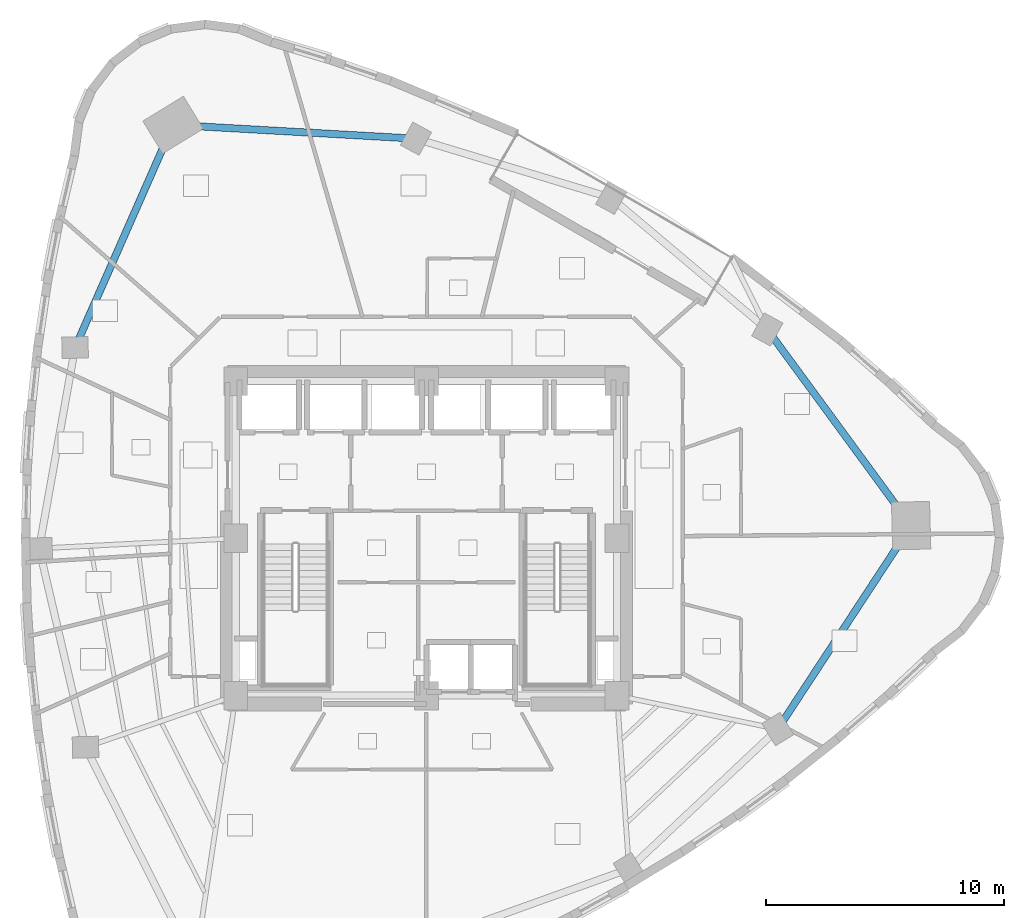
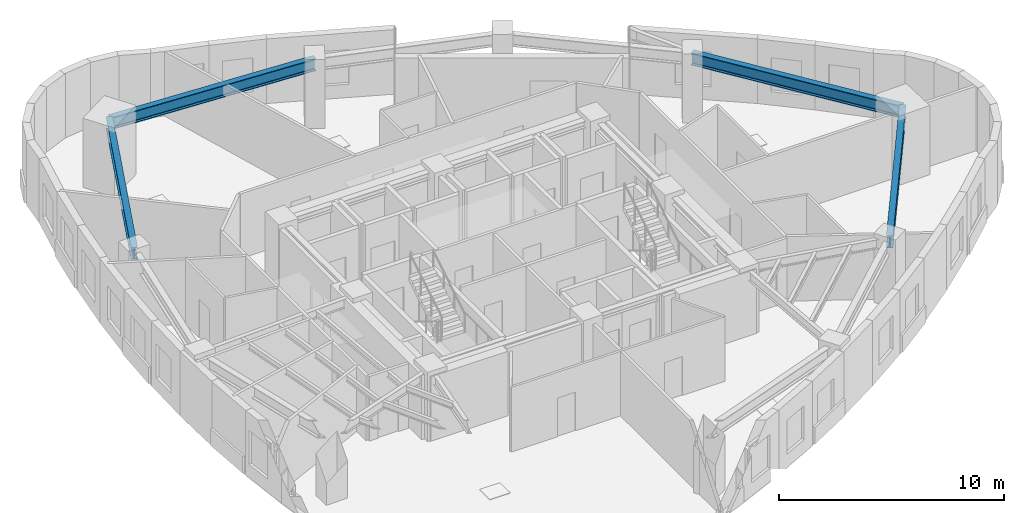
# One storey, part 3 of 13: 4 beams.
"""IFC4 building model written with IfcOpenShell, lengths in metres."""

from ifc_helpers import new_model, si_unit, direction, frame, origin, origin_2d, place, context, subcontext, project, spatial, i_section, extrude, material, material_profile, profile_set, type_object, element, save


model = new_model("IFC4")

# Units and contexts
model_context = context("Model", 3, precision=1e-05, world=origin(), true_north=direction((0.0, 1.0)))
body_context = subcontext(model_context, "Body", "Model", "MODEL_VIEW")
ifc_project = project(units=[si_unit("LENGTHUNIT", "METRE"), si_unit("AREAUNIT", "SQUARE_METRE"), si_unit("VOLUMEUNIT", "CUBIC_METRE"), si_unit("PLANEANGLEUNIT", "RADIAN"), si_unit("MASSUNIT", "GRAM", prefix="KILO")], contexts=[model_context])

# Site, building, storey
site_placement = place(None, origin())
site = spatial("IfcSite", under=ifc_project, at=site_placement, CompositionType="ELEMENT")
building_placement = place(site_placement, origin())
building = spatial("IfcBuilding", under=site, at=building_placement, Name="Ndelora Gate Hotel", CompositionType="ELEMENT")
storey_placement = place(building_placement, frame((0.0, 0.0, 123.5)))
storey = spatial("IfcBuildingStorey", under=building, at=storey_placement, Name="L30", CompositionType="ELEMENT", Elevation=123.5)

# Beams
ifc_material = material(Name="Steel S355", Category="steel")
ifc_material_profile = material_profile(ifc_material, i_section(OverallWidth=0.300048828125, OverallDepth=0.64990234375, WebThickness=0.01611328125, FlangeThickness=0.031005859375, FilletRadius=0.027099609375, at=origin_2d()), Name="HEB 650")
ifc_profile_set = profile_set([ifc_material_profile], Name="Steel S355")
beam_type = type_object("IfcBeamType", Name="BM-RING-650", PredefinedType="SPANDREL", material=ifc_profile_set)
beam_1_placement = place(storey_placement, frame((-10.63330078125, 17.351806640625, 3.175048828125), z_axis=(-0.402852396707, -0.915264959707, 0.0), x_axis=(0.915264959707, -0.402852396707, 0.0)))
element("IfcBeam", 1, at=beam_1_placement, inside=storey, type_object=beam_type, Name="L30 Perimeter Spandrel Girder 1", PredefinedType="SPANDREL", context=body_context, shape_type="SweptSolid", body=[
    extrude(i_section(OverallWidth=0.300048828125, OverallDepth=0.64990234375, WebThickness=0.01611328125, FlangeThickness=0.031005859375, FilletRadius=0.027099609375, at=origin_2d()), origin(), (0.0, 0.0, 1.0), 10.21044921875),
])
for number, where, z_axis, x_axis, name in (
    (2, (14.74658203125, -8.006591796875, 3.175048828125), (0.548194123818, 0.836351123998, 0.0), (-0.836351123998, 0.548194123818, 0.0), "L30 Perimeter Spandrel Girder 8"),
    (3, (20.34375, 0.53271484375, 3.175048828125), (-0.591229932094, 0.806503048597, 0.0), (-0.806503048597, -0.591229932094, 0.0), "L30 Perimeter Spandrel Girder 9"),
):
    element("IfcBeam", number, at=place(storey_placement, frame(where, z_axis=z_axis, x_axis=x_axis)), inside=storey, type_object=beam_type, Name=name, PredefinedType="SPANDREL", context=body_context, shape_type="SweptSolid", body=[
        extrude(i_section(OverallWidth=0.300048828125, OverallDepth=0.64990234375, WebThickness=0.01611328125, FlangeThickness=0.031005859375, FilletRadius=0.027099609375, at=origin_2d()), origin(), (0.0, 0.0, 1.0), 10.210205078125),
    ])
beam_2_placement = place(storey_placement, frame((-0.439208984375, 16.7744140625, 3.175048828125), z_axis=(-0.998399808671, 0.056549288648, 0.0), x_axis=(-0.056549288648, -0.998399808671, 0.0)))
element("IfcBeam", 4, at=beam_2_placement, inside=storey, type_object=beam_type, Name="L30 Perimeter Spandrel Girder 12", PredefinedType="SPANDREL", context=body_context, shape_type="SweptSolid", body=[
    extrude(i_section(OverallWidth=0.300048828125, OverallDepth=0.64990234375, WebThickness=0.01611328125, FlangeThickness=0.031005859375, FilletRadius=0.027099609375, at=origin_2d()), origin(), (0.0, 0.0, 1.0), 10.21044921875),
])

save(model, "model.ifc")
